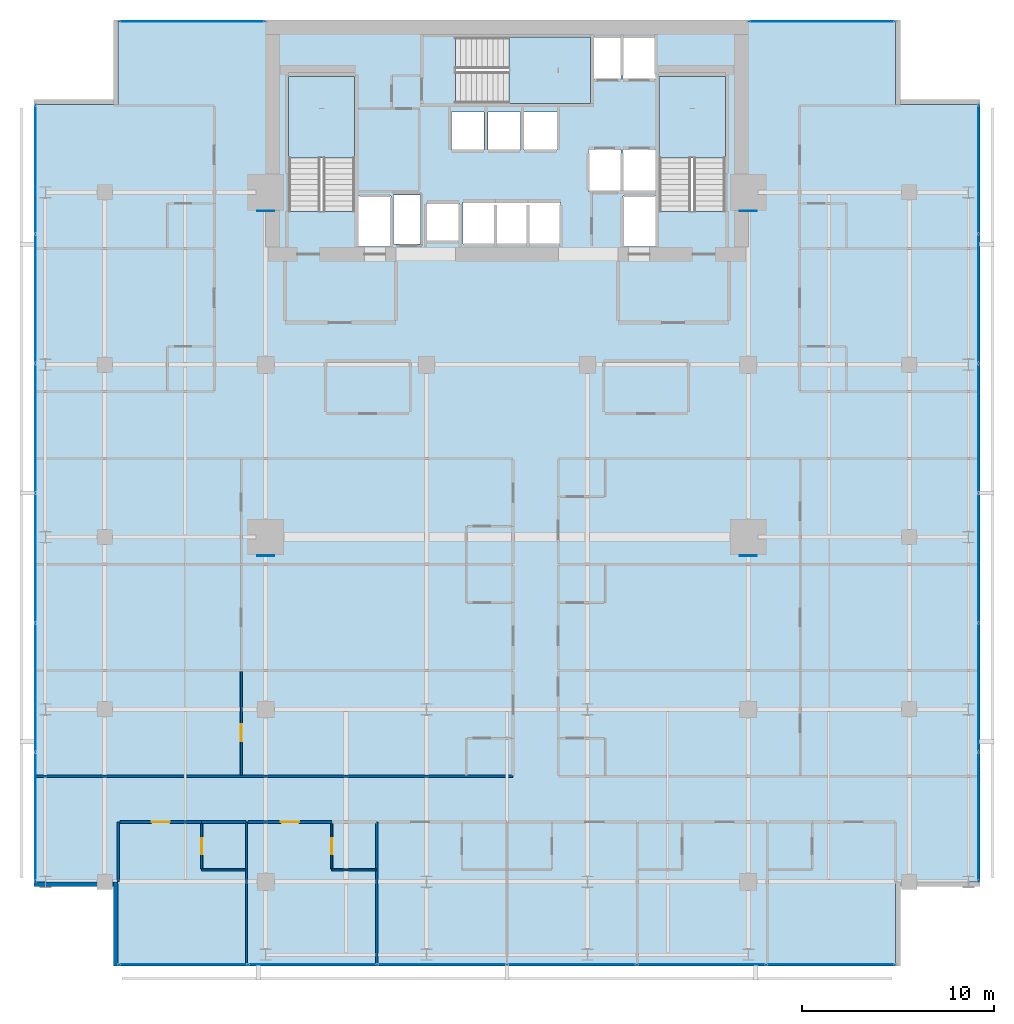
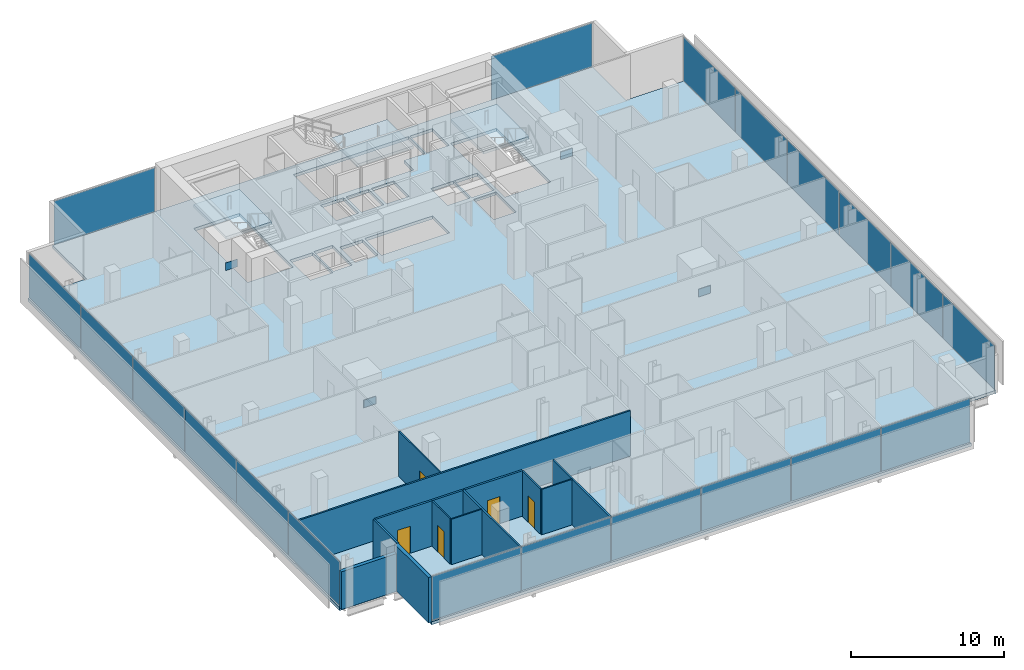
# One storey, part 26 of 33: 24 plates, 14 walls, 5 doors, 4 slabs, 5 openings, 8 elements without a shape of their own.
"""IFC4 building model written with IfcOpenShell, lengths in metres."""

from ifc_helpers import new_model, si_unit, direction, frame, frame_2d, origin, origin_2d, place, context, subcontext, project, spatial, polyline, rectangle, outline, extrude, material, layer, layer_set, type_object, element, fill, aggregate, save


model = new_model("IFC4")

# Units and contexts
model_context = context("Model", 3, precision=1e-05, world=origin(), true_north=direction((0.0, 1.0)))
body_context = subcontext(model_context, "Body", "Model", "MODEL_VIEW")
ifc_project = project(units=[si_unit("LENGTHUNIT", "METRE"), si_unit("AREAUNIT", "SQUARE_METRE"), si_unit("VOLUMEUNIT", "CUBIC_METRE"), si_unit("PLANEANGLEUNIT", "RADIAN"), si_unit("MASSUNIT", "GRAM", prefix="KILO")], contexts=[model_context])

# Site, building, storey
site_placement = place(None, origin())
site = spatial("IfcSite", under=ifc_project, at=site_placement, CompositionType="ELEMENT")
building_placement = place(site_placement, origin())
building = spatial("IfcBuilding", under=site, at=building_placement, Name="Maruvema Waterfront Hotel and Observation Tower", CompositionType="ELEMENT")
storey_placement = place(building_placement, frame((0.0, 0.0, 154.35009765625)))
storey = spatial("IfcBuildingStorey", under=building, at=storey_placement, Name="L37", CompositionType="ELEMENT", Elevation=154.35009765625)

# Slab
ifc_material_1 = material(Name="Concrete C50/60", Category="concrete")
ifc_layer_1 = layer(ifc_material_1, 0.239990234375, Name="Reinforced Concrete Floor Slab 240 mm")
ifc_layer_set_1 = layer_set([ifc_layer_1], Name="Concrete C50/60")
slab_type_1 = type_object("IfcSlabType", Name="Reinforced Concrete Floor Slab 240 mm", PredefinedType="FLOOR", material=ifc_layer_set_1)
slab_1_placement = place(storey_placement, frame((0.0, 0.0, -0.239990234375)))
element("IfcSlab", 1, at=slab_1_placement, inside=storey, type_object=slab_type_1, Name="L37 Structural Floor Slab", PredefinedType="FLOOR", context=body_context, shape_type="SweptSolid", body=[
    extrude(outline(polyline([(17.5, 4.60009765625), (58.10009765625, 4.60009765625), (58.10009765625, 9.0), (62.5, 9.0), (62.5, 49.60009765625), (58.10009765625, 49.60009765625), (58.10009765625, 54.0), (17.5, 54.0), (17.5, 49.60009765625), (13.10009765625, 49.60009765625), (13.10009765625, 9.0), (17.5, 9.0), (17.5, 4.60009765625)]), holes=[polyline([(26.39990234375, 44.00048828125), (26.39990234375, 51.050048828125), (29.85009765625, 51.050048828125), (29.85009765625, 44.00048828125), (26.39990234375, 44.00048828125)]), polyline([(30.050048828125, 44.800048828125), (31.75, 44.800048828125), (31.75, 42.169921875), (30.050048828125, 42.169921875), (30.050048828125, 44.800048828125)]), polyline([(31.8798828125, 44.860107421875), (33.280029296875, 44.860107421875), (33.280029296875, 42.2900390625), (31.8798828125, 42.2900390625), (31.8798828125, 44.860107421875)]), polyline([(33.60009765625, 44.449951171875), (35.300048828125, 44.449951171875), (35.300048828125, 42.449951171875), (33.60009765625, 42.449951171875), (33.60009765625, 44.449951171875)]), polyline([(34.89990234375, 49.199951171875), (36.60009765625, 49.199951171875), (36.60009765625, 47.199951171875), (34.89990234375, 47.199951171875), (34.89990234375, 49.199951171875)]), polyline([(36.800048828125, 49.199951171875), (38.5, 49.199951171875), (38.5, 47.199951171875), (36.800048828125, 47.199951171875), (36.800048828125, 49.199951171875)]), polyline([(35.5, 42.300048828125), (35.5, 44.5), (40.60009765625, 44.5), (40.60009765625, 42.300048828125), (35.5, 42.300048828125)]), polyline([(35.1005859375, 53.10009765625), (43.75, 53.10009765625), (43.75, 50.89990234375), (42.14990234375, 50.89990234375), (42.14990234375, 49.64990234375), (35.1005859375, 49.64990234375), (35.1005859375, 53.10009765625)]), polyline([(38.699951171875, 49.199951171875), (40.39990234375, 49.199951171875), (40.39990234375, 47.199951171875), (38.699951171875, 47.199951171875), (38.699951171875, 49.199951171875)]), polyline([(42.050048828125, 47.25), (43.75, 47.25), (43.75, 45.050048828125), (42.050048828125, 45.050048828125), (42.050048828125, 47.25)]), polyline([(43.85009765625, 44.800048828125), (45.550048828125, 44.800048828125), (45.550048828125, 42.169921875), (43.85009765625, 42.169921875), (43.85009765625, 44.800048828125)]), polyline([(43.85009765625, 47.25), (45.550048828125, 47.25), (45.550048828125, 45.050048828125), (43.85009765625, 45.050048828125), (43.85009765625, 47.25)]), polyline([(45.550048828125, 53.10009765625), (45.550048828125, 50.89990234375), (43.85009765625, 50.89990234375), (43.85009765625, 53.10009765625), (45.550048828125, 53.10009765625)]), polyline([(45.75, 44.00048828125), (45.75, 51.050048828125), (49.199951171875, 51.050048828125), (49.199951171875, 44.00048828125), (45.75, 44.00048828125)])]), origin(), (0.0, 0.0, 1.0), 0.239990234375),
])

# Curtain wall, plates
ifc_material_2 = material(Name="Anodised bronze aluminium and solar-control low-E IGU", Category="aluminium")
ifc_layer_2 = layer(ifc_material_2, 0.159912109375, Name="Zone 2 Amber Inner Thermal Curtain Wall System CW-03")
ifc_layer_set_2 = layer_set([ifc_layer_2], Name="Anodised bronze aluminium and solar-control low-E IGU")
curtain_wall_type = type_object("IfcCurtainWallType", Name="Zone 2 Amber Inner Thermal Curtain Wall System CW-03", PredefinedType="USERDEFINED", material=ifc_layer_set_2)
curtain_wall_1_placement = place(storey_placement, origin())
curtain_wall_1 = element("IfcCurtainWall", 2, at=curtain_wall_1_placement, inside=storey, type_object=curtain_wall_type, Name="L37 Curtain Wall CW-L37-S", ObjectType="UNITISED CURTAIN WALL", PredefinedType="USERDEFINED")
ifc_material_3 = material(Name="Laminated low-E solar-control double glazing", Category="glass")
ifc_layer_3 = layer(ifc_material_3, 0.035888671875, Name="Solar Control Double-Glazed Curtain Panel 36 mm")
ifc_layer_set_3 = layer_set([ifc_layer_3], Name="Laminated low-E solar-control double glazing")
plate_type_1 = type_object("IfcPlateType", Name="Solar Control Double-Glazed Curtain Panel 36 mm", PredefinedType="CURTAIN_PANEL", material=ifc_layer_set_3)
plate_1_placement = place(storey_placement, frame((20.8984375, 4.679931640625, 0.06005859375), z_axis=(0.0, 0.0, 1.0), x_axis=(1.0, 0.0, 0.0)))
plate_1 = element("IfcPlate", 3, at=plate_1_placement, type_object=plate_type_1, Name="CW-03 panel 1.1", PredefinedType="CURTAIN_PANEL", context=body_context, shape_type="SweptSolid", body=[
    extrude(rectangle(XDim=6.6767578125, YDim=0.028076171875, at=origin_2d()), origin(), (0.0, 0.0, 1.0), 3.489990234375),
])
plate_2_placement = place(storey_placement, frame((27.64990234375, 4.679931640625, 0.06005859375), z_axis=(0.0, 0.0, 1.0), x_axis=(1.0, 0.0, 0.0)))
plate_2 = element("IfcPlate", 4, at=plate_2_placement, type_object=plate_type_1, Name="CW-03 panel 2.1", PredefinedType="CURTAIN_PANEL", context=body_context, shape_type="SweptSolid", body=[
    extrude(rectangle(XDim=6.706787109375, YDim=0.028076171875, at=origin_2d()), origin(), (0.0, 0.0, 1.0), 3.489990234375),
])
plate_3_placement = place(storey_placement, frame((34.416748046875, 4.679931640625, 0.06005859375), z_axis=(0.0, 0.0, 1.0), x_axis=(1.0, 0.0, 0.0)))
plate_3 = element("IfcPlate", 5, at=plate_3_placement, type_object=plate_type_1, Name="CW-03 panel 3.1", PredefinedType="CURTAIN_PANEL", context=body_context, shape_type="SweptSolid", body=[
    extrude(rectangle(XDim=6.706787109375, YDim=0.028076171875, at=origin_2d()), origin(), (0.0, 0.0, 1.0), 3.489990234375),
])
plate_4_placement = place(storey_placement, frame((41.183349609375, 4.679931640625, 0.06005859375), z_axis=(0.0, 0.0, 1.0), x_axis=(1.0, 0.0, 0.0)))
plate_4 = element("IfcPlate", 6, at=plate_4_placement, type_object=plate_type_1, Name="CW-03 panel 4.1", PredefinedType="CURTAIN_PANEL", context=body_context, shape_type="SweptSolid", body=[
    extrude(rectangle(XDim=6.706787109375, YDim=0.028076171875, at=origin_2d()), origin(), (0.0, 0.0, 1.0), 3.489990234375),
])
plate_5_placement = place(storey_placement, frame((47.949951171875, 4.679931640625, 0.06005859375), z_axis=(0.0, 0.0, 1.0), x_axis=(1.0, 0.0, 0.0)))
plate_5 = element("IfcPlate", 7, at=plate_5_placement, type_object=plate_type_1, Name="CW-03 panel 5.1", PredefinedType="CURTAIN_PANEL", context=body_context, shape_type="SweptSolid", body=[
    extrude(rectangle(XDim=6.706787109375, YDim=0.028076171875, at=origin_2d()), origin(), (0.0, 0.0, 1.0), 3.489990234375),
])
plate_6_placement = place(storey_placement, frame((54.70166015625, 4.679931640625, 0.06005859375), z_axis=(0.0, 0.0, 1.0), x_axis=(1.0, 0.0, 0.0)))
plate_6 = element("IfcPlate", 8, at=plate_6_placement, type_object=plate_type_1, Name="CW-03 panel 6.1", PredefinedType="CURTAIN_PANEL", context=body_context, shape_type="SweptSolid", body=[
    extrude(rectangle(XDim=6.6767578125, YDim=0.028076171875, at=origin_2d()), origin(), (0.0, 0.0, 1.0), 3.489990234375),
])
aggregate(curtain_wall_1, [plate_1, plate_2, plate_3, plate_4, plate_5, plate_6])

curtain_wall_2_placement = place(storey_placement, origin())
curtain_wall_2 = element("IfcCurtainWall", 9, at=curtain_wall_2_placement, inside=storey, type_object=curtain_wall_type, Name="L37 Curtain Wall CW-L37-E", ObjectType="UNITISED CURTAIN WALL", PredefinedType="USERDEFINED")
plate_7_placement = place(storey_placement, frame((62.419921875, 12.3984375, 0.06005859375), z_axis=(0.0, 0.0, 1.0), x_axis=(0.0, 1.0, 0.0)))
plate_7 = element("IfcPlate", 10, at=plate_7_placement, type_object=plate_type_1, Name="CW-03 panel 1.1", PredefinedType="CURTAIN_PANEL", context=body_context, shape_type="SweptSolid", body=[
    extrude(rectangle(XDim=6.6767578125, YDim=0.028076171875, at=origin_2d()), origin(), (0.0, 0.0, 1.0), 3.489990234375),
])
plate_8_placement = place(storey_placement, frame((62.419921875, 19.14990234375, 0.06005859375), z_axis=(0.0, 0.0, 1.0), x_axis=(0.0, 1.0, 0.0)))
plate_8 = element("IfcPlate", 11, at=plate_8_placement, type_object=plate_type_1, Name="CW-03 panel 2.1", PredefinedType="CURTAIN_PANEL", context=body_context, shape_type="SweptSolid", body=[
    extrude(rectangle(XDim=6.706787109375, YDim=0.028076171875, at=origin_2d()), origin(), (0.0, 0.0, 1.0), 3.489990234375),
])
plate_9_placement = place(storey_placement, frame((62.419921875, 25.916748046875, 0.06005859375), z_axis=(0.0, 0.0, 1.0), x_axis=(0.0, 1.0, 0.0)))
plate_9 = element("IfcPlate", 12, at=plate_9_placement, type_object=plate_type_1, Name="CW-03 panel 3.1", PredefinedType="CURTAIN_PANEL", context=body_context, shape_type="SweptSolid", body=[
    extrude(rectangle(XDim=6.706787109375, YDim=0.028076171875, at=origin_2d()), origin(), (0.0, 0.0, 1.0), 3.489990234375),
])
plate_10_placement = place(storey_placement, frame((62.419921875, 32.683349609375, 0.06005859375), z_axis=(0.0, 0.0, 1.0), x_axis=(0.0, 1.0, 0.0)))
plate_10 = element("IfcPlate", 13, at=plate_10_placement, type_object=plate_type_1, Name="CW-03 panel 4.1", PredefinedType="CURTAIN_PANEL", context=body_context, shape_type="SweptSolid", body=[
    extrude(rectangle(XDim=6.706787109375, YDim=0.028076171875, at=origin_2d()), origin(), (0.0, 0.0, 1.0), 3.489990234375),
])
plate_11_placement = place(storey_placement, frame((62.419921875, 39.449951171875, 0.06005859375), z_axis=(0.0, 0.0, 1.0), x_axis=(0.0, 1.0, 0.0)))
plate_11 = element("IfcPlate", 14, at=plate_11_placement, type_object=plate_type_1, Name="CW-03 panel 5.1", PredefinedType="CURTAIN_PANEL", context=body_context, shape_type="SweptSolid", body=[
    extrude(rectangle(XDim=6.706787109375, YDim=0.028076171875, at=origin_2d()), origin(), (0.0, 0.0, 1.0), 3.489990234375),
])
plate_12_placement = place(storey_placement, frame((62.419921875, 46.20166015625, 0.06005859375), z_axis=(0.0, 0.0, 1.0), x_axis=(0.0, 1.0, 0.0)))
plate_12 = element("IfcPlate", 15, at=plate_12_placement, type_object=plate_type_1, Name="CW-03 panel 6.1", PredefinedType="CURTAIN_PANEL", context=body_context, shape_type="SweptSolid", body=[
    extrude(rectangle(XDim=6.6767578125, YDim=0.028076171875, at=origin_2d()), origin(), (0.0, 0.0, 1.0), 3.489990234375),
])
aggregate(curtain_wall_2, [plate_7, plate_8, plate_9, plate_10, plate_11, plate_12])

curtain_wall_3_placement = place(storey_placement, origin())
curtain_wall_3 = element("IfcCurtainWall", 16, at=curtain_wall_3_placement, inside=storey, type_object=curtain_wall_type, Name="L37 Curtain Wall CW-L37-W", ObjectType="UNITISED CURTAIN WALL", PredefinedType="USERDEFINED")
plate_13_placement = place(storey_placement, frame((13.179931640625, 46.20166015625, 0.06005859375), z_axis=(0.0, 0.0, 1.0), x_axis=(0.0, -1.0, 0.0)))
plate_13 = element("IfcPlate", 17, at=plate_13_placement, type_object=plate_type_1, Name="CW-03 panel 1.1", PredefinedType="CURTAIN_PANEL", context=body_context, shape_type="SweptSolid", body=[
    extrude(rectangle(XDim=6.6767578125, YDim=0.028076171875, at=origin_2d()), origin(), (0.0, 0.0, 1.0), 3.489990234375),
])
plate_14_placement = place(storey_placement, frame((13.179931640625, 39.449951171875, 0.06005859375), z_axis=(0.0, 0.0, 1.0), x_axis=(0.0, -1.0, 0.0)))
plate_14 = element("IfcPlate", 18, at=plate_14_placement, type_object=plate_type_1, Name="CW-03 panel 2.1", PredefinedType="CURTAIN_PANEL", context=body_context, shape_type="SweptSolid", body=[
    extrude(rectangle(XDim=6.706787109375, YDim=0.028076171875, at=origin_2d()), origin(), (0.0, 0.0, 1.0), 3.489990234375),
])
plate_15_placement = place(storey_placement, frame((13.179931640625, 32.683349609375, 0.06005859375), z_axis=(0.0, 0.0, 1.0), x_axis=(0.0, -1.0, 0.0)))
plate_15 = element("IfcPlate", 19, at=plate_15_placement, type_object=plate_type_1, Name="CW-03 panel 3.1", PredefinedType="CURTAIN_PANEL", context=body_context, shape_type="SweptSolid", body=[
    extrude(rectangle(XDim=6.706787109375, YDim=0.028076171875, at=origin_2d()), origin(), (0.0, 0.0, 1.0), 3.489990234375),
])
plate_16_placement = place(storey_placement, frame((13.179931640625, 25.916748046875, 0.06005859375), z_axis=(0.0, 0.0, 1.0), x_axis=(0.0, -1.0, 0.0)))
plate_16 = element("IfcPlate", 20, at=plate_16_placement, type_object=plate_type_1, Name="CW-03 panel 4.1", PredefinedType="CURTAIN_PANEL", context=body_context, shape_type="SweptSolid", body=[
    extrude(rectangle(XDim=6.706787109375, YDim=0.028076171875, at=origin_2d()), origin(), (0.0, 0.0, 1.0), 3.489990234375),
])
plate_17_placement = place(storey_placement, frame((13.179931640625, 19.14990234375, 0.06005859375), z_axis=(0.0, 0.0, 1.0), x_axis=(0.0, -1.0, 0.0)))
plate_17 = element("IfcPlate", 21, at=plate_17_placement, type_object=plate_type_1, Name="CW-03 panel 5.1", PredefinedType="CURTAIN_PANEL", context=body_context, shape_type="SweptSolid", body=[
    extrude(rectangle(XDim=6.706787109375, YDim=0.028076171875, at=origin_2d()), origin(), (0.0, 0.0, 1.0), 3.489990234375),
])
plate_18_placement = place(storey_placement, frame((13.179931640625, 12.3984375, 0.06005859375), z_axis=(0.0, 0.0, 1.0), x_axis=(0.0, -1.0, 0.0)))
plate_18 = element("IfcPlate", 22, at=plate_18_placement, type_object=plate_type_1, Name="CW-03 panel 6.1", PredefinedType="CURTAIN_PANEL", context=body_context, shape_type="SweptSolid", body=[
    extrude(rectangle(XDim=6.6767578125, YDim=0.028076171875, at=origin_2d()), origin(), (0.0, 0.0, 1.0), 3.489990234375),
])
aggregate(curtain_wall_3, [plate_13, plate_14, plate_15, plate_16, plate_17, plate_18])

# Curtain wall, plate
curtain_wall_4_placement = place(storey_placement, origin())
curtain_wall_4 = element("IfcCurtainWall", 23, at=curtain_wall_4_placement, inside=storey, type_object=curtain_wall_type, Name="L37 Curtain Wall CW-L37-NW", ObjectType="UNITISED CURTAIN WALL", PredefinedType="USERDEFINED")
plate_19_placement = place(storey_placement, frame((21.35009765625, 53.919921875, 0.06005859375), z_axis=(0.0, 0.0, 1.0), x_axis=(-1.0, 0.0, 0.0)))
plate_19 = element("IfcPlate", 24, at=plate_19_placement, type_object=plate_type_1, Name="CW-03 panel 1.1", PredefinedType="CURTAIN_PANEL", context=body_context, shape_type="SweptSolid", body=[
    extrude(rectangle(XDim=7.580078125, YDim=0.028076171875, at=origin_2d()), origin(), (0.0, 0.0, 1.0), 3.489990234375),
])
aggregate(curtain_wall_4, [plate_19])

curtain_wall_5_placement = place(storey_placement, origin())
curtain_wall_5 = element("IfcCurtainWall", 25, at=curtain_wall_5_placement, inside=storey, type_object=curtain_wall_type, Name="L37 Curtain Wall CW-L37-NE", ObjectType="UNITISED CURTAIN WALL", PredefinedType="USERDEFINED")
plate_20_placement = place(storey_placement, frame((54.25, 53.919921875, 0.06005859375), z_axis=(0.0, 0.0, 1.0), x_axis=(-1.0, 0.0, 0.0)))
plate_20 = element("IfcPlate", 26, at=plate_20_placement, type_object=plate_type_1, Name="CW-03 panel 1.1", PredefinedType="CURTAIN_PANEL", context=body_context, shape_type="SweptSolid", body=[
    extrude(rectangle(XDim=7.580078125, YDim=0.028076171875, at=origin_2d()), origin(), (0.0, 0.0, 1.0), 3.489990234375),
])
aggregate(curtain_wall_5, [plate_20])

# Stair, slab
ifc_material_4 = material(Name="Concrete C50/60", Category="concrete")
stair_type = type_object("IfcStairType", Name="Dogleg Exit Stair 1650 mm (22R x 175.0 mm)", PredefinedType="HALF_TURN_STAIR", material=ifc_material_4)
stair_1_placement = place(storey_placement, origin())
stair_1 = element("IfcStair", 27, at=stair_1_placement, inside=storey, type_object=stair_type, Name="L37 ST-01", PredefinedType="HALF_TURN_STAIR")
ifc_material_5 = material(Name="Concrete C50/60", Category="concrete")
ifc_layer_4 = layer(ifc_material_5, 0.219970703125, Name="Stair Concrete Landing Slab 220 mm")
ifc_layer_set_4 = layer_set([ifc_layer_4], Name="Concrete C50/60")
slab_type_2 = type_object("IfcSlabType", Name="Stair Concrete Landing Slab 220 mm", PredefinedType="LANDING", material=ifc_layer_set_4)
slab_2_placement = place(storey_placement, frame((0.0, 0.0, 1.704833984375)))
slab_2 = element("IfcSlab", 28, at=slab_2_placement, type_object=slab_type_2, Name="ST-01 landing 1", PredefinedType="LANDING", context=body_context, shape_type="SweptSolid", body=[
    extrude(outline(polyline([(29.85009765625, 46.800048828125), (29.85009765625, 51.050048828125), (26.39990234375, 51.050048828125), (26.39990234375, 46.800048828125), (29.85009765625, 46.800048828125)])), origin(), (0.0, 0.0, 1.0), 0.219970703125),
])
aggregate(stair_1, [slab_2])

stair_2_placement = place(storey_placement, origin())
stair_2 = element("IfcStair", 29, at=stair_2_placement, inside=storey, type_object=stair_type, Name="L37 ST-02", PredefinedType="HALF_TURN_STAIR")
slab_3_placement = place(storey_placement, frame((0.0, 0.0, 1.704833984375)))
slab_3 = element("IfcSlab", 30, at=slab_3_placement, type_object=slab_type_2, Name="ST-02 landing 1", PredefinedType="LANDING", context=body_context, shape_type="SweptSolid", body=[
    extrude(outline(polyline([(37.89990234375, 49.64990234375), (42.14990234375, 49.64990234375), (42.14990234375, 53.10009765625), (37.89990234375, 53.10009765625), (37.89990234375, 49.64990234375)])), origin(), (0.0, 0.0, 1.0), 0.219970703125),
])
aggregate(stair_2, [slab_3])

stair_3_placement = place(storey_placement, origin())
stair_3 = element("IfcStair", 31, at=stair_3_placement, inside=storey, type_object=stair_type, Name="L37 ST-03", PredefinedType="HALF_TURN_STAIR")
slab_4_placement = place(storey_placement, frame((0.0, 0.0, 1.704833984375)))
slab_4 = element("IfcSlab", 32, at=slab_4_placement, type_object=slab_type_2, Name="ST-03 landing 1", PredefinedType="LANDING", context=body_context, shape_type="SweptSolid", body=[
    extrude(outline(polyline([(49.199951171875, 46.800048828125), (49.199951171875, 51.050048828125), (45.75, 51.050048828125), (45.75, 46.800048828125), (49.199951171875, 46.800048828125)])), origin(), (0.0, 0.0, 1.0), 0.219970703125),
])
aggregate(stair_3, [slab_4])

# Plates
ifc_material_6 = material(Name="Steel ABNT NBR 7007 AR 415 (ASTM A572 Grade 50)", Category="steel")
ifc_layer_5 = layer(ifc_material_6, 0.0400390625, Name="Structural Truss Node Gusset Plate 40 mm")
ifc_layer_set_5 = layer_set([ifc_layer_5], Name="Steel ABNT NBR 7007 AR 415 (ASTM A572 Grade 50)")
plate_type_2 = type_object("IfcPlateType", Name="Structural Truss Node Gusset Plate 40 mm", PredefinedType="USERDEFINED", material=ifc_layer_set_5)
for number, where, z_axis, x_axis, name in (
    (33, (25.199951171875, 26.030029296875, 1.499755859375), (0.0, 0.0, 1.0), (1.0, 0.0, 0.0), "L37 MC-01 Moment Frame Continuity Gusset Plate"),
    (34, (50.39990234375, 26.030029296875, 1.499755859375), (0.0, 0.0, 1.0), (1.0, 0.0, 0.0), "L37 MC-02 Moment Frame Continuity Gusset Plate"),
    (35, (25.199951171875, 44.030029296875, 1.499755859375), (0.0, 0.0, 1.0), (1.0, 0.0, 0.0), "L37 MC-03 Moment Frame Continuity Gusset Plate"),
    (36, (50.39990234375, 44.030029296875, 1.499755859375), (0.0, 0.0, 1.0), (1.0, 0.0, 0.0), "L37 MC-04 Moment Frame Continuity Gusset Plate"),
):
    element("IfcPlate", number, at=place(storey_placement, frame(where, z_axis=z_axis, x_axis=x_axis)), inside=storey, type_object=plate_type_2, Name=name, ObjectType="GUSSET_PLATE", PredefinedType="USERDEFINED", context=body_context, shape_type="SweptSolid", body=[
        extrude(rectangle(XDim=0.89990234375, YDim=0.0400390625, at=origin_2d()), origin(), (0.0, 0.0, 1.0), 0.60009765625),
    ])

# Wall
ifc_material_7 = material(Name="Twin-stud acoustic gypsum drywall", Category="gypsum")
ifc_layer_6 = layer(ifc_material_7, 0.14990234375, Name="Acoustic Corridor and Suite Demising Wall 150 mm")
ifc_layer_set_6 = layer_set([ifc_layer_6], Name="Twin-stud acoustic gypsum drywall")
wall_type_1 = type_object("IfcWallType", Name="Acoustic Corridor and Suite Demising Wall 150 mm", PredefinedType="PARTITIONING", material=ifc_layer_set_6)
wall_1_placement = place(storey_placement, frame((21.85009765625, 12.1201171875, 0.0), z_axis=(0.0, 0.0, 1.0), x_axis=(1.0, 0.0, 0.0)))
element("IfcWall", 37, at=wall_1_placement, inside=storey, type_object=wall_type_1, Name="L37 Bath L37-S1 Back Wall 027", PredefinedType="PARTITIONING", context=body_context, shape_type="SweptSolid", body=[
    extrude(rectangle(XDim=2.329833984375, YDim=0.14990234375, at=frame_2d((1.1650390625, 0.0))), origin(), (0.0, 0.0, 1.0), 3.60986328125),
])

# Wall, opening, door
wall_2_placement = place(storey_placement, frame((17.580078125, 12.1201171875, 0.0), z_axis=(0.0, 0.0, 1.0), x_axis=(1.0, 0.0, 0.0)))
wall_2 = element("IfcWall", 38, at=wall_2_placement, inside=storey, type_object=wall_type_1, Name="L37 Unit L37-S1 Corridor Wall 030", PredefinedType="PARTITIONING", context=body_context, shape_type="SweptSolid", body=[
    extrude(rectangle(XDim=4.27001953125, YDim=0.14990234375, at=frame_2d((2.135009765625, 0.0))), origin(), (0.0, 0.0, 1.0), 3.60986328125),
])
opening_1_placement = place(wall_2_placement, frame((1.659912109375, 0.0, 0.0)))
opening_1 = element("IfcOpeningElement", 39, at=opening_1_placement, cuts=wall_2, Name="Opening DR-095", PredefinedType="OPENING", context=body_context, shape_type="SweptSolid", body=[
    extrude(rectangle(XDim=0.949951171875, YDim=2.14990234375, at=frame_2d((0.47509765625, 1.074951171875))), frame((0.0, 0.0849609375, 0.0), z_axis=(0.0, -1.0, 0.0), x_axis=(1.0, 0.0, 0.0)), (0.0, 0.0, 1.0), 0.169921875),
])
ifc_material_8 = material(Name="Acoustic solid-core hardwood timber leaf", Category="wood")
door_type_1 = type_object("IfcDoorType", Name="Guestroom Entrance Fire Door 950x2150 mm", OperationType="NOTDEFINED", PredefinedType="DOOR", material=ifc_material_8)
door_1_placement = place(opening_1_placement, frame((0.949951171875, 0.0, 0.0), z_axis=(0.0, 0.0, 1.0), x_axis=(-1.0, 0.0, 0.0)))
door_1 = element("IfcDoor", 40, at=door_1_placement, inside=storey, type_object=door_type_1, Name="L37 Unit L37-S1 Entrance Door", OperationType="SINGLE_SWING_RIGHT", OverallHeight=2.14990234375, OverallWidth=0.949951171875, PredefinedType="DOOR", context=body_context, shape_type="SweptSolid", body=[
    extrude(rectangle(XDim=0.949951171875, YDim=2.14990234375, at=frame_2d((0.47509765625, 1.074951171875))), frame((0.0, 0.02490234375, 0.0), z_axis=(0.0, -1.0, 0.0), x_axis=(1.0, 0.0, 0.0)), (0.0, 0.0, 1.0), 0.050048828125),
])
fill(opening_1, door_1)

wall_3_placement = place(storey_placement, frame((24.280029296875, 12.1201171875, 0.0), z_axis=(0.0, 0.0, 1.0), x_axis=(1.0, 0.0, 0.0)))
wall_3 = element("IfcWall", 41, at=wall_3_placement, inside=storey, type_object=wall_type_1, Name="L37 Unit L37-S2 Corridor Wall 035", PredefinedType="PARTITIONING", context=body_context, shape_type="SweptSolid", body=[
    extrude(rectangle(XDim=4.369873046875, YDim=0.14990234375, at=frame_2d((2.18505859375, 0.0))), origin(), (0.0, 0.0, 1.0), 3.60986328125),
])
opening_2_placement = place(wall_3_placement, frame((1.7099609375, 0.0, 0.0)))
opening_2 = element("IfcOpeningElement", 42, at=opening_2_placement, cuts=wall_3, Name="Opening DR-095", PredefinedType="OPENING", context=body_context, shape_type="SweptSolid", body=[
    extrude(rectangle(XDim=0.949951171875, YDim=2.14990234375, at=frame_2d((0.47509765625, 1.074951171875))), frame((0.0, 0.0849609375, 0.0), z_axis=(0.0, -1.0, 0.0), x_axis=(1.0, 0.0, 0.0)), (0.0, 0.0, 1.0), 0.169921875),
])
door_2_placement = place(opening_2_placement, frame((0.949951171875, 0.0, 0.0), z_axis=(0.0, 0.0, 1.0), x_axis=(-1.0, 0.0, 0.0)))
door_2 = element("IfcDoor", 43, at=door_2_placement, inside=storey, type_object=door_type_1, Name="L37 Unit L37-S2 Entrance Door", OperationType="SINGLE_SWING_RIGHT", OverallHeight=2.14990234375, OverallWidth=0.949951171875, PredefinedType="DOOR", context=body_context, shape_type="SweptSolid", body=[
    extrude(rectangle(XDim=0.949951171875, YDim=2.14990234375, at=frame_2d((0.47509765625, 1.074951171875))), frame((0.0, 0.02490234375, 0.0), z_axis=(0.0, -1.0, 0.0), x_axis=(1.0, 0.0, 0.0)), (0.0, 0.0, 1.0), 0.050048828125),
])
fill(opening_2, door_2)

# Wall
ifc_material_9 = material(Name="Moisture-resistant cement-board drywall", Category="gypsum")
ifc_layer_7 = layer(ifc_material_9, 0.10009765625, Name="En-Suite Moisture-Resistant Partition 100 mm")
ifc_layer_set_7 = layer_set([ifc_layer_7], Name="Moisture-resistant cement-board drywall")
wall_type_2 = type_object("IfcWallType", Name="En-Suite Moisture-Resistant Partition 100 mm", PredefinedType="PARTITIONING", material=ifc_layer_set_7)
wall_4_placement = place(storey_placement, frame((21.85009765625, 9.6201171875, 0.0), z_axis=(0.0, 0.0, 1.0), x_axis=(1.0, 0.0, 0.0)))
element("IfcWall", 44, at=wall_4_placement, inside=storey, type_object=wall_type_2, Name="L37 En-Suite L37-S1 South 028", PredefinedType="PARTITIONING", context=body_context, shape_type="SweptSolid", body=[
    extrude(rectangle(XDim=2.309814453125, YDim=0.10009765625, at=frame_2d((1.15478515625, 0.0))), origin(), (0.0, 0.0, 1.0), 3.60986328125),
])

# Wall, opening, door
wall_5_placement = place(storey_placement, frame((21.85009765625, 9.679931640625, 0.0), z_axis=(0.0, 0.0, 1.0), x_axis=(0.0, 1.0, 0.0)))
wall_5 = element("IfcWall", 45, at=wall_5_placement, inside=storey, type_object=wall_type_2, Name="L37 En-Suite L37-S1 West 029", PredefinedType="PARTITIONING", context=body_context, shape_type="SweptSolid", body=[
    extrude(rectangle(XDim=2.340087890625, YDim=0.10009765625, at=frame_2d((1.169921875, 0.0))), origin(), (0.0, 0.0, 1.0), 3.60986328125),
])
opening_3_placement = place(wall_5_placement, frame((0.7451171875, 0.0, 0.0)))
opening_3 = element("IfcOpeningElement", 46, at=opening_3_placement, cuts=wall_5, Name="Opening DR-085", PredefinedType="OPENING", context=body_context, shape_type="SweptSolid", body=[
    extrude(rectangle(XDim=0.85009765625, YDim=2.10009765625, at=frame_2d((0.425048828125, 1.050048828125))), frame((0.0, 0.06005859375, 0.0), z_axis=(0.0, -1.0, 0.0), x_axis=(1.0, 0.0, 0.0)), (0.0, 0.0, 1.0), 0.1201171875),
])
ifc_material_10 = material(Name="Moisture-resistant solid timber leaf", Category="wood")
door_type_2 = type_object("IfcDoorType", Name="En-Suite Bathroom Door 850x2100 mm", OperationType="NOTDEFINED", PredefinedType="DOOR", material=ifc_material_10)
door_3_placement = place(opening_3_placement, origin())
door_3 = element("IfcDoor", 47, at=door_3_placement, inside=storey, type_object=door_type_2, Name="L37 En-Suite L37-S1 Door", OperationType="SINGLE_SWING_LEFT", OverallHeight=2.10009765625, OverallWidth=0.85009765625, PredefinedType="DOOR", context=body_context, shape_type="SweptSolid", body=[
    extrude(rectangle(XDim=0.85009765625, YDim=2.10009765625, at=frame_2d((0.425048828125, 1.050048828125))), frame((0.0, 0.02490234375, 0.0), z_axis=(0.0, -1.0, 0.0), x_axis=(1.0, 0.0, 0.0)), (0.0, 0.0, 1.0), 0.050048828125),
])
fill(opening_3, door_3)

# Wall
wall_6_placement = place(storey_placement, frame((28.64990234375, 9.6201171875, 0.0), z_axis=(0.0, 0.0, 1.0), x_axis=(1.0, 0.0, 0.0)))
element("IfcWall", 48, at=wall_6_placement, inside=storey, type_object=wall_type_2, Name="L37 En-Suite L37-S2 South 033", PredefinedType="PARTITIONING", context=body_context, shape_type="SweptSolid", body=[
    extrude(rectangle(XDim=2.31005859375, YDim=0.10009765625, at=frame_2d((1.155029296875, 0.0))), origin(), (0.0, 0.0, 1.0), 3.60986328125),
])

# Wall, opening, door
wall_7_placement = place(storey_placement, frame((28.64990234375, 9.679931640625, 0.0), z_axis=(0.0, 0.0, 1.0), x_axis=(0.0, 1.0, 0.0)))
wall_7 = element("IfcWall", 49, at=wall_7_placement, inside=storey, type_object=wall_type_2, Name="L37 En-Suite L37-S2 West 034", PredefinedType="PARTITIONING", context=body_context, shape_type="SweptSolid", body=[
    extrude(rectangle(XDim=2.340087890625, YDim=0.10009765625, at=frame_2d((1.169921875, 0.0))), origin(), (0.0, 0.0, 1.0), 3.60986328125),
])
opening_4_placement = place(wall_7_placement, frame((0.7451171875, 0.0, 0.0)))
opening_4 = element("IfcOpeningElement", 50, at=opening_4_placement, cuts=wall_7, Name="Opening DR-085", PredefinedType="OPENING", context=body_context, shape_type="SweptSolid", body=[
    extrude(rectangle(XDim=0.85009765625, YDim=2.10009765625, at=frame_2d((0.425048828125, 1.050048828125))), frame((0.0, 0.06005859375, 0.0), z_axis=(0.0, -1.0, 0.0), x_axis=(1.0, 0.0, 0.0)), (0.0, 0.0, 1.0), 0.1201171875),
])
door_4_placement = place(opening_4_placement, origin())
door_4 = element("IfcDoor", 51, at=door_4_placement, inside=storey, type_object=door_type_2, Name="L37 En-Suite L37-S2 Door", OperationType="SINGLE_SWING_LEFT", OverallHeight=2.10009765625, OverallWidth=0.85009765625, PredefinedType="DOOR", context=body_context, shape_type="SweptSolid", body=[
    extrude(rectangle(XDim=0.85009765625, YDim=2.10009765625, at=frame_2d((0.425048828125, 1.050048828125))), frame((0.0, 0.02490234375, 0.0), z_axis=(0.0, -1.0, 0.0), x_axis=(1.0, 0.0, 0.0)), (0.0, 0.0, 1.0), 0.050048828125),
])
fill(opening_4, door_4)

wall_8_placement = place(storey_placement, frame((23.93359375, 14.56005859375, 0.0), z_axis=(0.0, 0.0, 1.0), x_axis=(0.0, 1.0, 0.0)))
wall_8 = element("IfcWall", 52, at=wall_8_placement, inside=storey, type_object=wall_type_2, Name="L37 Suite L37-W1 Split 064", PredefinedType="PARTITIONING", context=body_context, shape_type="SweptSolid", body=[
    extrude(rectangle(XDim=5.409912109375, YDim=0.10009765625, at=frame_2d((2.705078125, 0.0))), origin(), (0.0, 0.0, 1.0), 3.60986328125),
])
opening_5_placement = place(wall_8_placement, frame((1.77490234375, 0.0, 0.0)))
opening_5 = element("IfcOpeningElement", 53, at=opening_5_placement, cuts=wall_8, Name="Opening DR-090", PredefinedType="OPENING", context=body_context, shape_type="SweptSolid", body=[
    extrude(rectangle(XDim=0.89990234375, YDim=2.10009765625, at=frame_2d((0.449951171875, 1.050048828125))), frame((0.0, 0.06005859375, 0.0), z_axis=(0.0, -1.0, 0.0), x_axis=(1.0, 0.0, 0.0)), (0.0, 0.0, 1.0), 0.1201171875),
])
ifc_material_11 = material(Name="Solid-core lacquered timber leaf", Category="wood")
door_type_3 = type_object("IfcDoorType", Name="Accessible Toilet and Room Door 900x2100 mm", OperationType="NOTDEFINED", PredefinedType="DOOR", material=ifc_material_11)
door_5_placement = place(opening_5_placement, origin())
door_5 = element("IfcDoor", 54, at=door_5_placement, inside=storey, type_object=door_type_3, Name="L37 Suite L37-W1 Bedroom Door", OperationType="SINGLE_SWING_LEFT", OverallHeight=2.10009765625, OverallWidth=0.89990234375, PredefinedType="DOOR", context=body_context, shape_type="SweptSolid", body=[
    extrude(rectangle(XDim=0.89990234375, YDim=2.10009765625, at=frame_2d((0.449951171875, 1.050048828125))), frame((0.0, 0.02490234375, 0.0), z_axis=(0.0, -1.0, 0.0), x_axis=(1.0, 0.0, 0.0)), (0.0, 0.0, 1.0), 0.050048828125),
])
fill(opening_5, door_5)

# Walls
ifc_material_12 = material(Name="Precast concrete C45/55 with honed Pernambuco granite facing", Category="masonry")
ifc_layer_8 = layer(ifc_material_12, 0.260009765625, Name="Exterior Granite Clad Spandrel and Pier Wall 260 mm")
ifc_layer_set_8 = layer_set([ifc_layer_8], Name="Precast concrete C45/55 with honed Pernambuco granite facing")
wall_type_3 = type_object("IfcWallType", Name="Exterior Granite Clad Spandrel and Pier Wall 260 mm", PredefinedType="SOLIDWALL", material=ifc_layer_set_8)
wall_9_placement = place(storey_placement, frame((17.3701171875, 4.60009765625, 0.0), z_axis=(0.0, 0.0, 1.0), x_axis=(0.0, 1.0, 0.0)))
element("IfcWall", 55, at=wall_9_placement, inside=storey, type_object=wall_type_3, Name="L37 Corner Notch Granite Pier Wall SW1", PredefinedType="SOLIDWALL", context=body_context, shape_type="SweptSolid", body=[
    extrude(rectangle(XDim=4.39990234375, YDim=0.260009765625, at=frame_2d((2.199951171875, 0.0))), origin(), (0.0, 0.0, 1.0), 3.60986328125),
])
wall_10_placement = place(storey_placement, frame((17.5, 8.8701171875, 0.0), z_axis=(0.0, 0.0, 1.0), x_axis=(-1.0, 0.0, 0.0)))
element("IfcWall", 56, at=wall_10_placement, inside=storey, type_object=wall_type_3, Name="L37 Corner Notch Granite Pier Wall SW2", PredefinedType="SOLIDWALL", context=body_context, shape_type="SweptSolid", body=[
    extrude(rectangle(XDim=4.39990234375, YDim=0.260009765625, at=frame_2d((2.199951171875, 0.0))), origin(), (0.0, 0.0, 1.0), 3.0068359375),
])
ifc_material_13 = material(Name="Acoustic gypsum plasterboard drywall", Category="gypsum")
ifc_layer_9 = layer(ifc_material_13, 0.125, Name="Guestroom Acoustic Demising Wall 125 mm")
ifc_layer_set_9 = layer_set([ifc_layer_9], Name="Acoustic gypsum plasterboard drywall")
wall_type_4 = type_object("IfcWallType", Name="Guestroom Acoustic Demising Wall 125 mm", PredefinedType="PARTITIONING", material=ifc_layer_set_9)
wall_11_placement = place(storey_placement, frame((17.5, 9.0, 0.0), z_axis=(0.0, 0.0, 1.0), x_axis=(0.0, 1.0, 0.0)))
element("IfcWall", 57, at=wall_11_placement, inside=storey, type_object=wall_type_4, Name="L37 Z2 S West End 025", PredefinedType="PARTITIONING", context=body_context, shape_type="SweptSolid", body=[
    extrude(rectangle(XDim=3.1201171875, YDim=0.125, at=frame_2d((1.56005859375, 0.0))), origin(), (0.0, 0.0, 1.0), 3.60986328125),
])
for number, where, z_axis, x_axis, name in (
    (58, (24.199951171875, 4.699951171875, 0.0), (0.0, 0.0, 1.0), (0.0, 1.0, 0.0), "L37 Z2 S Demising 2 031"),
    (59, (31.0, 4.699951171875, 0.0), (0.0, 0.0, 1.0), (0.0, 1.0, 0.0), "L37 Z2 S Demising 3 036"),
):
    element("IfcWall", number, at=place(storey_placement, frame(where, z_axis=z_axis, x_axis=x_axis)), inside=storey, type_object=wall_type_4, Name=name, PredefinedType="PARTITIONING", context=body_context, shape_type="SweptSolid", body=[
        extrude(rectangle(XDim=7.420166015625, YDim=0.125, at=frame_2d((3.7099609375, 0.0))), origin(), (0.0, 0.0, 1.0), 3.60986328125),
    ])
wall_12_placement = place(storey_placement, frame((13.199951171875, 14.5, 0.0), z_axis=(0.0, 0.0, 1.0), x_axis=(1.0, 0.0, 0.0)))
element("IfcWall", 60, at=wall_12_placement, inside=storey, type_object=wall_type_4, Name="L37 Z2 W Bot End 056", PredefinedType="PARTITIONING", context=body_context, shape_type="SweptSolid", body=[
    extrude(rectangle(XDim=24.920166015625, YDim=0.125, at=frame_2d((12.4599609375, 0.0))), origin(), (0.0, 0.0, 1.0), 3.60986328125),
])

save(model, "model.ifc")
